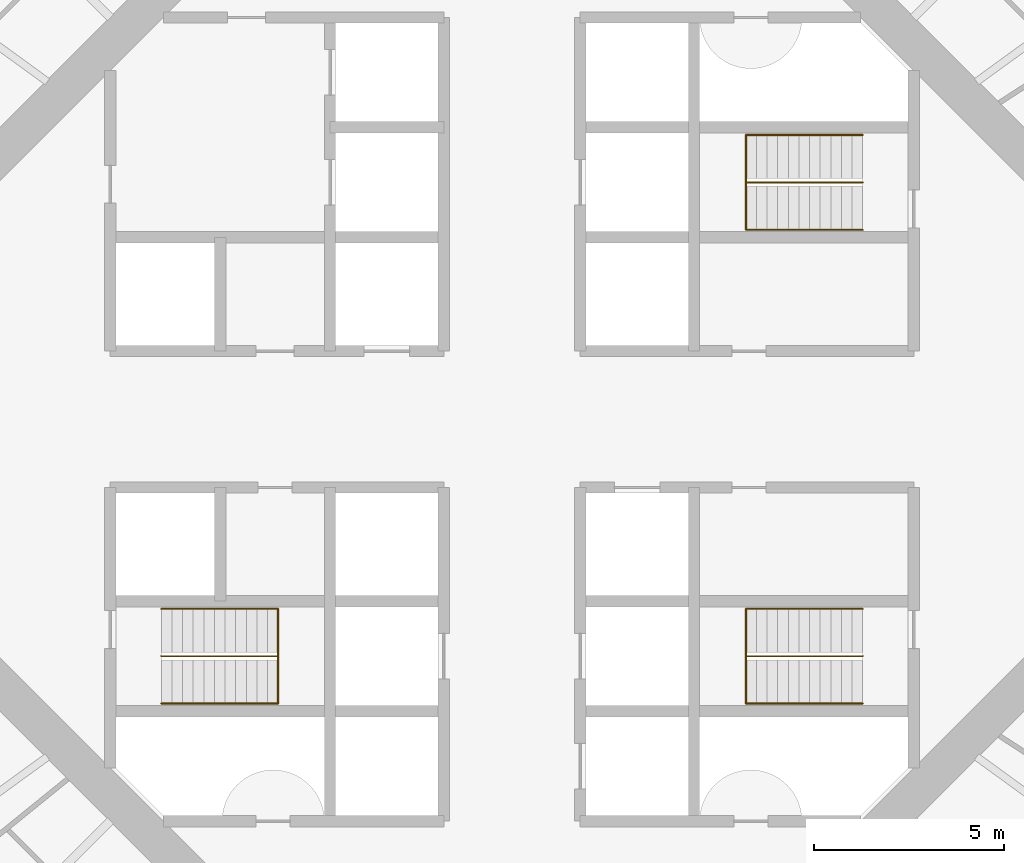
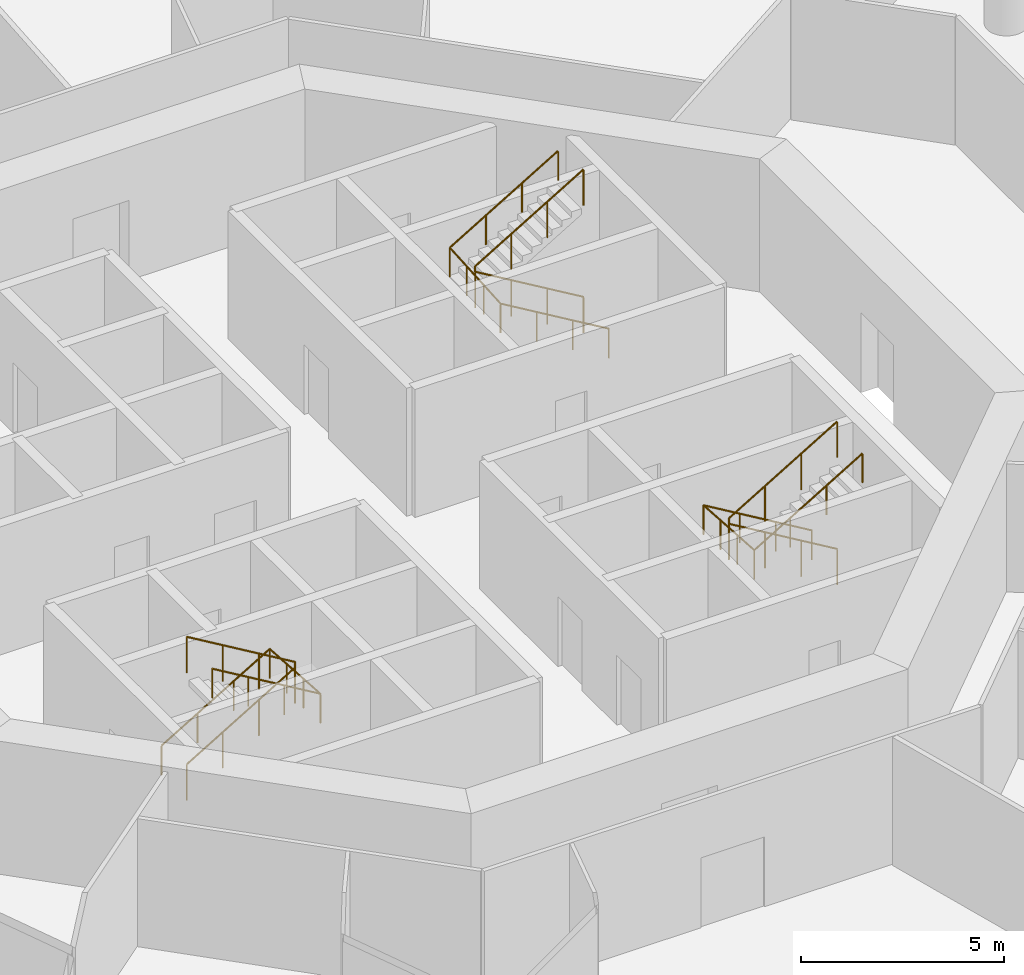
# One storey, part 17 of 17: 6 railings.
"""IFC4 building model written with IfcOpenShell, lengths in metres."""

import ifcopenshell
import ifcopenshell.guid

model = None  # the IFC model being written
_history = None  # IfcOwnerHistory: only IFC2X3 demands one
_inside = {}  # id of a spatial element -> (the spatial element, [elements in it])
_under = {}  # id of a project, library or spatial element -> (it, [spatial elements below it])
_declared = {}  # id of a project -> (the project, [libraries it declares])
_typed = {}  # id of a type object -> (the type object, [elements of that type])
_made_of = {}  # id of a material, layer set ... -> (it, [elements and type objects made of it])


def new_model(schema):
    """Start an empty IFC model of exactly this schema.

    Asked for "IFC4X3", IfcOpenShell would pick the latest addendum, in which some entities
    have other attributes; the version numbers below select the first issue.
    IFC2X3 requires an IfcOwnerHistory on every rooted entity: one is made here for all.
    """
    global model, _history
    if schema == "IFC4X3":
        model = ifcopenshell.file(schema_version=(4, 3, 0, 0))
    else:
        model = ifcopenshell.file(schema=schema)
    _inside.clear()
    _under.clear()
    _declared.clear()
    _typed.clear()
    _made_of.clear()
    _history = None
    if model.schema == "IFC2X3":
        org = make("IfcOrganization", Name="unknown")
        user = make(
            "IfcPersonAndOrganization",
            ThePerson=make("IfcPerson", FamilyName="unknown"),
            TheOrganization=org,
        )
        app = make(
            "IfcApplication",
            ApplicationDeveloper=org,
            Version="unknown",
            ApplicationFullName="unknown",
            ApplicationIdentifier="unknown",
        )
        _history = make(
            "IfcOwnerHistory",
            OwningUser=user,
            OwningApplication=app,
            ChangeAction="ADDED",
            CreationDate=0,
        )
    return model


def make(cls, **values):
    """One entity of the class cls with the attributes given. An attribute that is None is left unset."""
    return model.create_entity(
        cls, **{name: value for name, value in values.items() if value is not None}
    )


def rooted(cls, **values):
    """An entity with a GlobalId (a new one), such as an element, a storey or a relation."""
    return make(cls, GlobalId=ifcopenshell.guid.new(), OwnerHistory=_history, **values)


def si_unit(unit_type, name, prefix=None):
    """IfcSIUnit, for example si_unit("LENGTHUNIT", "METRE", prefix="MILLI")."""
    return make("IfcSIUnit", UnitType=unit_type, Prefix=prefix, Name=name)


def assignment(units):
    """IfcUnitAssignment: the units of a project."""
    return None if units is None else make("IfcUnitAssignment", Units=units)


def point(xyz):
    """IfcCartesianPoint."""
    return None if xyz is None else make("IfcCartesianPoint", Coordinates=xyz)


def direction(xyz):
    """IfcDirection."""
    return None if xyz is None else make("IfcDirection", DirectionRatios=xyz)


def frame(location, z_axis=None, x_axis=None):
    """IfcAxis2Placement3D, a coordinate frame: its origin and axes. An axis left out is left unset."""
    return make(
        "IfcAxis2Placement3D",
        Location=point(location),
        Axis=direction(z_axis),
        RefDirection=direction(x_axis),
    )


def frame_2d(location, x_axis=None):
    """IfcAxis2Placement2D, a coordinate frame in the plane: its origin and x axis."""
    return make(
        "IfcAxis2Placement2D", Location=point(location), RefDirection=direction(x_axis)
    )


def origin():
    """The frame at (0, 0, 0) with its axes left unset."""
    return frame((0.0, 0.0, 0.0))


def origin_2d():
    """The frame at (0, 0) in the plane with its x axis left unset."""
    return frame_2d((0.0, 0.0))


def place(relative_to, where):
    """IfcLocalPlacement: puts the frame where relative to a parent placement (None: the world)."""
    return make(
        "IfcLocalPlacement", PlacementRelTo=relative_to, RelativePlacement=where
    )


def context(
    kind, dimensions, precision=None, world=None, true_north=None, identifier=None
):
    """IfcGeometricRepresentationContext, for example the 3D "Model" context."""
    return make(
        "IfcGeometricRepresentationContext",
        ContextIdentifier=identifier,
        ContextType=kind,
        CoordinateSpaceDimension=dimensions,
        Precision=precision,
        WorldCoordinateSystem=world,
        TrueNorth=true_north,
    )


def subcontext(parent, identifier, kind, view, scale=None):
    """IfcGeometricRepresentationSubContext, for example "Body" below "Model"."""
    return make(
        "IfcGeometricRepresentationSubContext",
        ContextIdentifier=identifier,
        ContextType=kind,
        ParentContext=parent,
        TargetScale=scale,
        TargetView=view,
    )


def project(units=None, contexts=None):
    """IfcProject with its units and contexts."""
    return rooted(
        "IfcProject",
        Name="project",
        RepresentationContexts=contexts,
        UnitsInContext=assignment(units),
    )


def spatial(cls, under=None, at=None, **own):
    """A site, building, storey or space (cls), placed at a placement, below another one or the project."""
    s = rooted(cls, ObjectPlacement=at, **own)
    if under is not None:
        _under.setdefault(under.id(), (under, []))[1].append(s)
    return s


def profile(cls, at=None, kind="AREA", **sizes):
    """A parametric profile (cls). Its sizes go by their IFC names, for example OverallWidth=200.0."""
    return make(cls, ProfileType=kind, Position=at, **sizes)


def circle(**sizes):
    """IfcCircleProfileDef."""
    return profile("IfcCircleProfileDef", **sizes)


def extrude(swept, where, along, depth):
    """IfcExtrudedAreaSolid: the profile swept, set in the frame where, extruded along a direction by depth."""
    return make(
        "IfcExtrudedAreaSolid",
        SweptArea=swept,
        Position=where,
        ExtrudedDirection=direction(along),
        Depth=depth,
    )


def shape(context_of_items, identifier, shape_type, items):
    """IfcShapeRepresentation: the items that make up one representation, for example the "Body"."""
    return make(
        "IfcShapeRepresentation",
        ContextOfItems=context_of_items,
        RepresentationIdentifier=identifier,
        RepresentationType=shape_type,
        Items=items,
    )


def material(Name=None, Category=None):
    """IfcMaterial."""
    return make("IfcMaterial", Name=Name, Category=Category)


def made_of(thing, what):
    """Note that an element or type object is made of a material, layer set ...; save() writes the relation."""
    if what is not None:
        _made_of.setdefault(what.id(), (what, []))[1].append(thing)
    return thing


def type_object(cls, material=None, **own):
    """A type object (cls), such as IfcWallType, which elements share."""
    return made_of(rooted(cls, **own), material)


def element(
    cls,
    number,
    at=None,
    inside=None,
    cuts=None,
    type_object=None,
    material=None,
    context=None,
    identifier="Body",
    shape_type=None,
    held_by="IfcProductDefinitionShape",
    body=None,
    shapes=None,
    **own,
):
    """One element of the class cls, such as IfcWall. Its Tag is "e" and its number.

    at: its placement. inside: the storey or other place that contains it. cuts: it is an
    opening in that element (IfcRelVoidsElement). A single representation is given by context,
    identifier, shape_type and body (its items); several are given by shapes. held_by: the class
    of the entity that holds the representations. save() writes the other relations.
    """
    e = rooted(cls, Tag="e%d" % number, ObjectPlacement=at, **own)
    if body is not None:
        shapes = [shape(context, identifier, shape_type, body)]
    if shapes is not None:
        e.Representation = make(held_by, Representations=shapes)
    if inside is not None:
        _inside.setdefault(inside.id(), (inside, []))[1].append(e)
    if cuts is not None:
        rooted(
            "IfcRelVoidsElement", RelatingBuildingElement=cuts, RelatedOpeningElement=e
        )
    if type_object is not None:
        _typed.setdefault(type_object.id(), (type_object, []))[1].append(e)
    return made_of(e, material)


def aggregate(whole, parts):
    """IfcRelAggregates: a whole, such as a stair, and the parts it consists of."""
    return rooted("IfcRelAggregates", RelatingObject=whole, RelatedObjects=parts)


def save(model, path):
    """Write the relations noted so far, then the file.

    IfcRelAggregates (storeys below a building ...), IfcRelContainedInSpatialStructure (elements
    in a storey), IfcRelDefinesByType, IfcRelAssociatesMaterial and IfcRelDeclares: one each for
    every whole, place, type object, material and project.
    """
    for whole, parts in _under.values():
        aggregate(whole, parts)
    for where, things in _inside.values():
        rooted(
            "IfcRelContainedInSpatialStructure",
            RelatedElements=things,
            RelatingStructure=where,
        )
    for kind, things in _typed.values():
        rooted("IfcRelDefinesByType", RelatedObjects=things, RelatingType=kind)
    for what, things in _made_of.values():
        rooted("IfcRelAssociatesMaterial", RelatedObjects=things, RelatingMaterial=what)
    for by, libraries in _declared.values():
        rooted("IfcRelDeclares", RelatingContext=by, RelatedDefinitions=libraries)
    model.write(path)


model = new_model("IFC4")

# Units and contexts
model_context = context("Model", 3, precision=1e-05, world=origin(), true_north=direction((0.0, 1.0)))
body_context = subcontext(model_context, "Body", "Model", "MODEL_VIEW")
ifc_project = project(units=[si_unit("LENGTHUNIT", "METRE"), si_unit("AREAUNIT", "SQUARE_METRE"), si_unit("VOLUMEUNIT", "CUBIC_METRE"), si_unit("PLANEANGLEUNIT", "RADIAN"), si_unit("MASSUNIT", "GRAM", prefix="KILO")], contexts=[model_context])

# Site, building, storey
site_placement = place(None, origin())
site = spatial("IfcSite", under=ifc_project, at=site_placement, CompositionType="ELEMENT")
building_placement = place(site_placement, origin())
building = spatial("IfcBuilding", under=site, at=building_placement, Name="Entoto Ring Tower", CompositionType="ELEMENT")
storey_placement = place(building_placement, frame((0.0, 0.0, 176.0)))
storey = spatial("IfcBuildingStorey", under=building, at=storey_placement, Name="L40", CompositionType="ELEMENT", Elevation=176.0)

# Railings
ifc_material_1 = material(Name="Steel S275", Category="steel")
railing_type_1 = type_object("IfcRailingType", Name="Stair guard 1100 mm steel", PredefinedType="GUARDRAIL", material=ifc_material_1)
railing_1_placement = place(storey_placement, frame((99.25, 86.25, 0.166748046875)))
element("IfcRailing", 1, at=railing_1_placement, inside=storey, type_object=railing_type_1, Name="Guard ST1", PredefinedType="GUARDRAIL", context=body_context, shape_type="SweptSolid", body=[
    extrude(circle(Radius=0.02392578125, at=origin_2d()), frame((0.0, 0.0, 1.076171875), z_axis=(-0.859308565015, 0.0, 0.511457515432), x_axis=(0.0, -1.0, 0.0)), (0.0, 0.0, 1.0), 3.58447265625),
    extrude(circle(Radius=0.02392578125, at=origin_2d()), frame((-3.080078125, 0.0, 2.9091796875), z_axis=(0.0, 0.0, 1.0), x_axis=(1.0, 0.0, 0.0)), (0.0, 0.0, 1.0), 0.166748046875),
    extrude(circle(Radius=0.02392578125, at=origin_2d()), frame((-3.080078125, 0.0, 3.076171875), z_axis=(0.859308565015, 0.0, 0.511457515432), x_axis=(0.0, 1.0, 0.0)), (0.0, 0.0, 1.0), 3.58447265625),
    extrude(circle(Radius=0.02099609375, at=origin_2d()), origin(), (0.0, 0.0, 1.0), 1.052001953125),
    extrude(circle(Radius=0.02099609375, at=origin_2d()), frame((-1.026611328125, 0.0, 0.611083984375)), (0.0, 0.0, 1.0), 1.052001953125),
    extrude(circle(Radius=0.02099609375, at=origin_2d()), frame((-2.053466796875, 0.0, 1.22216796875)), (0.0, 0.0, 1.0), 1.052001953125),
    extrude(circle(Radius=0.02099609375, at=origin_2d()), frame((-3.080078125, 0.0, 1.833251953125)), (0.0, 0.0, 1.0), 1.052001953125),
    extrude(circle(Radius=0.02099609375, at=origin_2d()), frame((-3.080078125, 0.0, 2.0)), (0.0, 0.0, 1.0), 1.052001953125),
    extrude(circle(Radius=0.02099609375, at=origin_2d()), frame((-2.053466796875, 0.0, 2.611083984375)), (0.0, 0.0, 1.0), 1.052001953125),
    extrude(circle(Radius=0.02099609375, at=origin_2d()), frame((-1.026611328125, 0.0, 3.22216796875)), (0.0, 0.0, 1.0), 1.052001953125),
    extrude(circle(Radius=0.02099609375, at=origin_2d()), frame((0.0, 0.0, 3.833251953125)), (0.0, 0.0, 1.0), 1.052001953125),
])
railing_2_placement = place(storey_placement, frame((80.75, 73.75, 0.166748046875)))
element("IfcRailing", 2, at=railing_2_placement, inside=storey, type_object=railing_type_1, Name="Guard ST2", PredefinedType="GUARDRAIL", context=body_context, shape_type="SweptSolid", body=[
    extrude(circle(Radius=0.02392578125, at=origin_2d()), frame((0.0, 0.0, 1.076171875), z_axis=(0.859308565015, 0.0, 0.511457515432), x_axis=(0.0, 1.0, 0.0)), (0.0, 0.0, 1.0), 3.58447265625),
    extrude(circle(Radius=0.02392578125, at=origin_2d()), frame((3.080078125, 0.0, 2.9091796875), z_axis=(0.0, 0.0, 1.0), x_axis=(1.0, 0.0, 0.0)), (0.0, 0.0, 1.0), 0.166748046875),
    extrude(circle(Radius=0.02392578125, at=origin_2d()), frame((3.080078125, 0.0, 3.076171875), z_axis=(-0.859308565015, 0.0, 0.511457515432), x_axis=(0.0, -1.0, 0.0)), (0.0, 0.0, 1.0), 3.58447265625),
    extrude(circle(Radius=0.02099609375, at=origin_2d()), origin(), (0.0, 0.0, 1.0), 1.052001953125),
    extrude(circle(Radius=0.02099609375, at=origin_2d()), frame((1.026611328125, 0.0, 0.611083984375)), (0.0, 0.0, 1.0), 1.052001953125),
    extrude(circle(Radius=0.02099609375, at=origin_2d()), frame((2.053466796875, 0.0, 1.22216796875)), (0.0, 0.0, 1.0), 1.052001953125),
    extrude(circle(Radius=0.02099609375, at=origin_2d()), frame((3.080078125, 0.0, 1.833251953125)), (0.0, 0.0, 1.0), 1.052001953125),
    extrude(circle(Radius=0.02099609375, at=origin_2d()), frame((3.080078125, 0.0, 2.0)), (0.0, 0.0, 1.0), 1.052001953125),
    extrude(circle(Radius=0.02099609375, at=origin_2d()), frame((2.053466796875, 0.0, 2.611083984375)), (0.0, 0.0, 1.0), 1.052001953125),
    extrude(circle(Radius=0.02099609375, at=origin_2d()), frame((1.026611328125, 0.0, 3.22216796875)), (0.0, 0.0, 1.0), 1.052001953125),
    extrude(circle(Radius=0.02099609375, at=origin_2d()), frame((0.0, 0.0, 3.833251953125)), (0.0, 0.0, 1.0), 1.052001953125),
])
railing_3_placement = place(storey_placement, frame((99.25, 73.75, 0.166748046875)))
element("IfcRailing", 3, at=railing_3_placement, inside=storey, type_object=railing_type_1, Name="Guard ST3", PredefinedType="GUARDRAIL", context=body_context, shape_type="SweptSolid", body=[
    extrude(circle(Radius=0.02392578125, at=origin_2d()), frame((0.0, 0.0, 1.076171875), z_axis=(-0.859308565015, 0.0, 0.511457515432), x_axis=(0.0, -1.0, 0.0)), (0.0, 0.0, 1.0), 3.58447265625),
    extrude(circle(Radius=0.02392578125, at=origin_2d()), frame((-3.080078125, 0.0, 2.9091796875), z_axis=(0.0, 0.0, 1.0), x_axis=(1.0, 0.0, 0.0)), (0.0, 0.0, 1.0), 0.166748046875),
    extrude(circle(Radius=0.02392578125, at=origin_2d()), frame((-3.080078125, 0.0, 3.076171875), z_axis=(0.859308565015, 0.0, 0.511457515432), x_axis=(0.0, 1.0, 0.0)), (0.0, 0.0, 1.0), 3.58447265625),
    extrude(circle(Radius=0.02099609375, at=origin_2d()), origin(), (0.0, 0.0, 1.0), 1.052001953125),
    extrude(circle(Radius=0.02099609375, at=origin_2d()), frame((-1.026611328125, 0.0, 0.611083984375)), (0.0, 0.0, 1.0), 1.052001953125),
    extrude(circle(Radius=0.02099609375, at=origin_2d()), frame((-2.053466796875, 0.0, 1.22216796875)), (0.0, 0.0, 1.0), 1.052001953125),
    extrude(circle(Radius=0.02099609375, at=origin_2d()), frame((-3.080078125, 0.0, 1.833251953125)), (0.0, 0.0, 1.0), 1.052001953125),
    extrude(circle(Radius=0.02099609375, at=origin_2d()), frame((-3.080078125, 0.0, 2.0)), (0.0, 0.0, 1.0), 1.052001953125),
    extrude(circle(Radius=0.02099609375, at=origin_2d()), frame((-2.053466796875, 0.0, 2.611083984375)), (0.0, 0.0, 1.0), 1.052001953125),
    extrude(circle(Radius=0.02099609375, at=origin_2d()), frame((-1.026611328125, 0.0, 3.22216796875)), (0.0, 0.0, 1.0), 1.052001953125),
    extrude(circle(Radius=0.02099609375, at=origin_2d()), frame((0.0, 0.0, 3.833251953125)), (0.0, 0.0, 1.0), 1.052001953125),
])
ifc_material_2 = material(Name="Steel S275", Category="steel")
railing_type_2 = type_object("IfcRailingType", Name="Stair handrail 900 mm steel", PredefinedType="HANDRAIL", material=ifc_material_2)
railing_4_placement = place(storey_placement, frame((99.25, 85.0, 0.166748046875)))
element("IfcRailing", 4, at=railing_4_placement, inside=storey, type_object=railing_type_2, Name="Handrail ST1", PredefinedType="HANDRAIL", context=body_context, shape_type="SweptSolid", body=[
    extrude(circle(Radius=0.02392578125, at=origin_2d()), frame((0.0, 0.0, 0.8759765625), z_axis=(-0.859308565015, 0.0, 0.511457515432), x_axis=(0.0, -1.0, 0.0)), (0.0, 0.0, 1.0), 3.58447265625),
    extrude(circle(Radius=0.02392578125, at=origin_2d()), frame((-3.080078125, 0.0, 2.708984375), z_axis=(0.0, 0.997783001586, 0.066551346688), x_axis=(-1.0, 0.0, 0.0)), (0.0, 0.0, 1.0), 2.505615234375),
    extrude(circle(Radius=0.02392578125, at=origin_2d()), frame((-3.080078125, 2.5, 2.8759765625), z_axis=(0.859308565015, 0.0, 0.511457515432), x_axis=(0.0, 1.0, 0.0)), (0.0, 0.0, 1.0), 3.58447265625),
    extrude(circle(Radius=0.02099609375, at=origin_2d()), origin(), (0.0, 0.0, 1.0), 0.851806640625),
    extrude(circle(Radius=0.02099609375, at=origin_2d()), frame((-1.026611328125, 0.0, 0.611083984375)), (0.0, 0.0, 1.0), 0.851806640625),
    extrude(circle(Radius=0.02099609375, at=origin_2d()), frame((-2.053466796875, 0.0, 1.22216796875)), (0.0, 0.0, 1.0), 0.851806640625),
    extrude(circle(Radius=0.02099609375, at=origin_2d()), frame((-3.080078125, 0.0, 1.833251953125)), (0.0, 0.0, 1.0), 0.851806640625),
    extrude(circle(Radius=0.02099609375, at=origin_2d()), frame((-3.080078125, 0.833251953125, 1.888916015625)), (0.0, 0.0, 1.0), 0.851806640625),
    extrude(circle(Radius=0.02099609375, at=origin_2d()), frame((-3.080078125, 1.666748046875, 1.9443359375)), (0.0, 0.0, 1.0), 0.851806640625),
    extrude(circle(Radius=0.02099609375, at=origin_2d()), frame((-3.080078125, 2.5, 2.0)), (0.0, 0.0, 1.0), 0.851806640625),
    extrude(circle(Radius=0.02099609375, at=origin_2d()), frame((-2.053466796875, 2.5, 2.611083984375)), (0.0, 0.0, 1.0), 0.851806640625),
    extrude(circle(Radius=0.02099609375, at=origin_2d()), frame((-1.026611328125, 2.5, 3.22216796875)), (0.0, 0.0, 1.0), 0.851806640625),
    extrude(circle(Radius=0.02099609375, at=origin_2d()), frame((0.0, 2.5, 3.833251953125)), (0.0, 0.0, 1.0), 0.851806640625),
])
railing_5_placement = place(storey_placement, frame((80.75, 75.0, 0.166748046875)))
element("IfcRailing", 5, at=railing_5_placement, inside=storey, type_object=railing_type_2, Name="Handrail ST2", PredefinedType="HANDRAIL", context=body_context, shape_type="SweptSolid", body=[
    extrude(circle(Radius=0.02392578125, at=origin_2d()), frame((0.0, 0.0, 0.8759765625), z_axis=(0.859308565015, 0.0, 0.511457515432), x_axis=(0.0, 1.0, 0.0)), (0.0, 0.0, 1.0), 3.58447265625),
    extrude(circle(Radius=0.02392578125, at=origin_2d()), frame((3.080078125, 0.0, 2.708984375), z_axis=(0.0, -0.997783001586, 0.066551346688), x_axis=(1.0, 0.0, 0.0)), (0.0, 0.0, 1.0), 2.505615234375),
    extrude(circle(Radius=0.02392578125, at=origin_2d()), frame((3.080078125, -2.5, 2.8759765625), z_axis=(-0.859308565015, 0.0, 0.511457515432), x_axis=(0.0, -1.0, 0.0)), (0.0, 0.0, 1.0), 3.58447265625),
    extrude(circle(Radius=0.02099609375, at=origin_2d()), origin(), (0.0, 0.0, 1.0), 0.851806640625),
    extrude(circle(Radius=0.02099609375, at=origin_2d()), frame((1.026611328125, 0.0, 0.611083984375)), (0.0, 0.0, 1.0), 0.851806640625),
    extrude(circle(Radius=0.02099609375, at=origin_2d()), frame((2.053466796875, 0.0, 1.22216796875)), (0.0, 0.0, 1.0), 0.851806640625),
    extrude(circle(Radius=0.02099609375, at=origin_2d()), frame((3.080078125, 0.0, 1.833251953125)), (0.0, 0.0, 1.0), 0.851806640625),
    extrude(circle(Radius=0.02099609375, at=origin_2d()), frame((3.080078125, -0.833251953125, 1.888916015625)), (0.0, 0.0, 1.0), 0.851806640625),
    extrude(circle(Radius=0.02099609375, at=origin_2d()), frame((3.080078125, -1.666748046875, 1.9443359375)), (0.0, 0.0, 1.0), 0.851806640625),
    extrude(circle(Radius=0.02099609375, at=origin_2d()), frame((3.080078125, -2.5, 2.0)), (0.0, 0.0, 1.0), 0.851806640625),
    extrude(circle(Radius=0.02099609375, at=origin_2d()), frame((2.053466796875, -2.5, 2.611083984375)), (0.0, 0.0, 1.0), 0.851806640625),
    extrude(circle(Radius=0.02099609375, at=origin_2d()), frame((1.026611328125, -2.5, 3.22216796875)), (0.0, 0.0, 1.0), 0.851806640625),
    extrude(circle(Radius=0.02099609375, at=origin_2d()), frame((0.0, -2.5, 3.833251953125)), (0.0, 0.0, 1.0), 0.851806640625),
])
railing_6_placement = place(storey_placement, frame((99.25, 75.0, 0.166748046875)))
element("IfcRailing", 6, at=railing_6_placement, inside=storey, type_object=railing_type_2, Name="Handrail ST3", PredefinedType="HANDRAIL", context=body_context, shape_type="SweptSolid", body=[
    extrude(circle(Radius=0.02392578125, at=origin_2d()), frame((0.0, 0.0, 0.8759765625), z_axis=(-0.859308565015, 0.0, 0.511457515432), x_axis=(0.0, -1.0, 0.0)), (0.0, 0.0, 1.0), 3.58447265625),
    extrude(circle(Radius=0.02392578125, at=origin_2d()), frame((-3.080078125, 0.0, 2.708984375), z_axis=(0.0, -0.997783001586, 0.066551346688), x_axis=(1.0, 0.0, 0.0)), (0.0, 0.0, 1.0), 2.505615234375),
    extrude(circle(Radius=0.02392578125, at=origin_2d()), frame((-3.080078125, -2.5, 2.8759765625), z_axis=(0.859308565015, 0.0, 0.511457515432), x_axis=(0.0, 1.0, 0.0)), (0.0, 0.0, 1.0), 3.58447265625),
    extrude(circle(Radius=0.02099609375, at=origin_2d()), origin(), (0.0, 0.0, 1.0), 0.851806640625),
    extrude(circle(Radius=0.02099609375, at=origin_2d()), frame((-1.026611328125, 0.0, 0.611083984375)), (0.0, 0.0, 1.0), 0.851806640625),
    extrude(circle(Radius=0.02099609375, at=origin_2d()), frame((-2.053466796875, 0.0, 1.22216796875)), (0.0, 0.0, 1.0), 0.851806640625),
    extrude(circle(Radius=0.02099609375, at=origin_2d()), frame((-3.080078125, 0.0, 1.833251953125)), (0.0, 0.0, 1.0), 0.851806640625),
    extrude(circle(Radius=0.02099609375, at=origin_2d()), frame((-3.080078125, -0.833251953125, 1.888916015625)), (0.0, 0.0, 1.0), 0.851806640625),
    extrude(circle(Radius=0.02099609375, at=origin_2d()), frame((-3.080078125, -1.666748046875, 1.9443359375)), (0.0, 0.0, 1.0), 0.851806640625),
    extrude(circle(Radius=0.02099609375, at=origin_2d()), frame((-3.080078125, -2.5, 2.0)), (0.0, 0.0, 1.0), 0.851806640625),
    extrude(circle(Radius=0.02099609375, at=origin_2d()), frame((-2.053466796875, -2.5, 2.611083984375)), (0.0, 0.0, 1.0), 0.851806640625),
    extrude(circle(Radius=0.02099609375, at=origin_2d()), frame((-1.026611328125, -2.5, 3.22216796875)), (0.0, 0.0, 1.0), 0.851806640625),
    extrude(circle(Radius=0.02099609375, at=origin_2d()), frame((0.0, -2.5, 3.833251953125)), (0.0, 0.0, 1.0), 0.851806640625),
])

save(model, "model.ifc")
